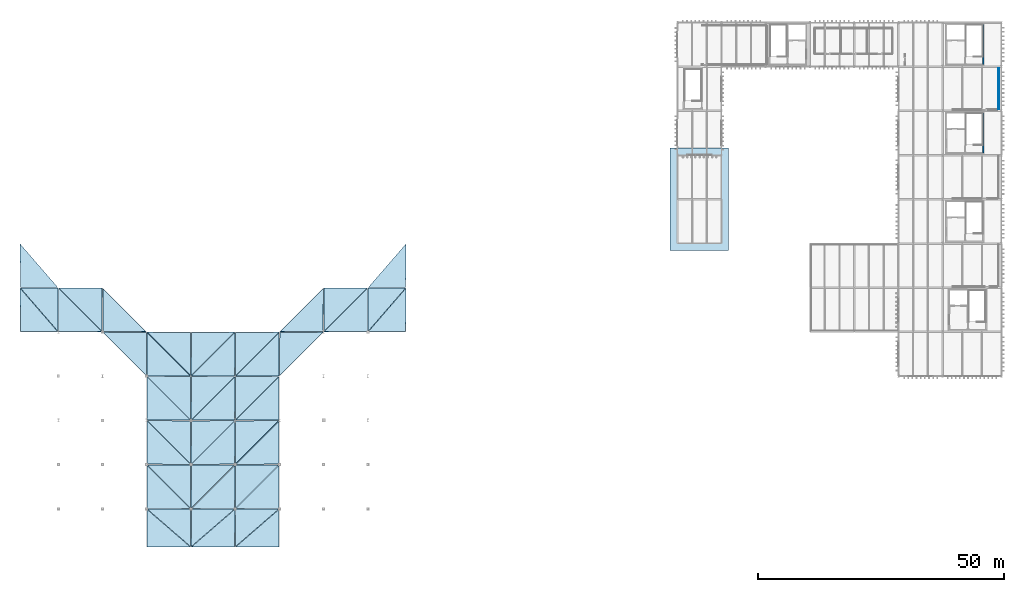
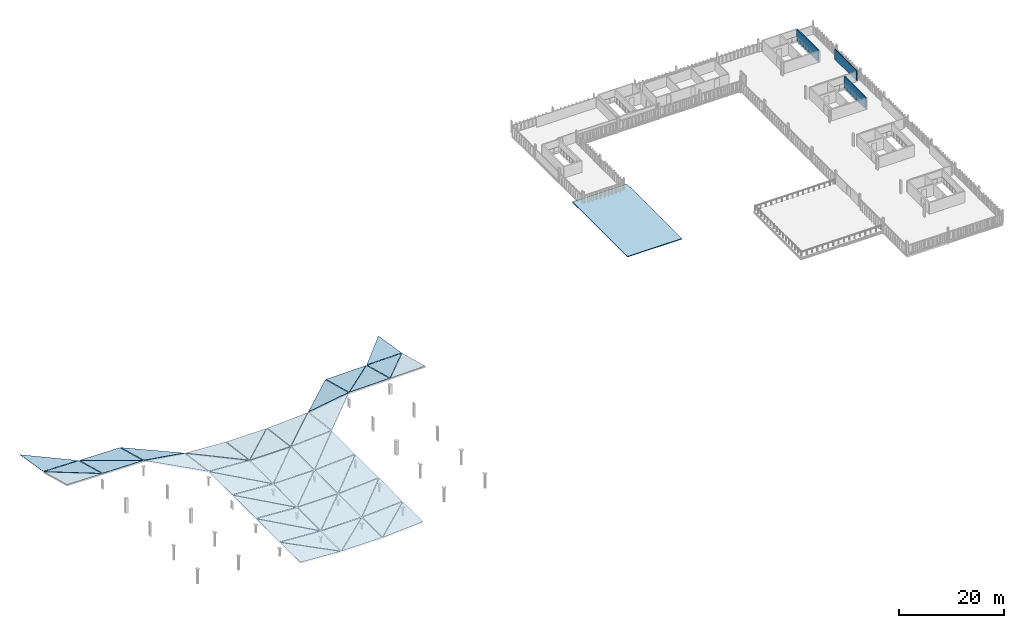
# One storey, part 55 of 58: 45 roofs, 3 walls.
"""IFC4 building model written with IfcOpenShell, lengths in metres."""

from ifc_helpers import new_model, si_unit, direction, frame, frame_2d, origin, place, context, subcontext, project, spatial, polyline, rectangle, outline, extrude, material, layer, layer_set, type_object, element, save


model = new_model("IFC4")

# Units and contexts
model_context = context("Model", 3, precision=1e-05, world=origin(), true_north=direction((0.0, 1.0)))
body_context = subcontext(model_context, "Body", "Model", "MODEL_VIEW")
ifc_project = project(units=[si_unit("LENGTHUNIT", "METRE"), si_unit("AREAUNIT", "SQUARE_METRE"), si_unit("VOLUMEUNIT", "CUBIC_METRE"), si_unit("PLANEANGLEUNIT", "RADIAN"), si_unit("MASSUNIT", "GRAM", prefix="KILO")], contexts=[model_context])

# Site, building, storey
site_placement = place(None, origin())
site = spatial("IfcSite", under=ifc_project, at=site_placement, CompositionType="ELEMENT")
building_placement = place(site_placement, origin())
building = spatial("IfcBuilding", under=site, at=building_placement, Name="Barlavento Convention Centre", CompositionType="ELEMENT")
storey_placement = place(building_placement, frame((0.0, 0.0, 26.800048828125)))
storey = spatial("IfcBuildingStorey", under=building, at=storey_placement, Name="L05", CompositionType="ELEMENT", Elevation=26.800048828125)

# Walls
ifc_material_1 = material(Name="Fire-rated gypsum partition")
ifc_layer_1 = layer(ifc_material_1, 0.169921875)
ifc_layer_set_1 = layer_set([ifc_layer_1], Name="ARC-WL-PART-170")
wall_type_1 = type_object("IfcWallType", Name="ARC-WL-PART-170", PredefinedType="PARTITIONING", material=ifc_layer_set_1)
wall_placement = place(storey_placement, frame((191.39990234375, 81.302001953125, 0.0), z_axis=(0.0, 0.0, 1.0), x_axis=(0.0, 1.0, 0.0)))
element("IfcWall", 1, at=wall_placement, inside=storey, type_object=wall_type_1, Name="L05 interior wall PT-02", PredefinedType="PARTITIONING", context=body_context, shape_type="SweptSolid", body=[
    extrude(rectangle(XDim=8.39599609375, YDim=0.169921875, at=frame_2d((4.197998046875, 0.0))), origin(), (0.0, 0.0, 1.0), 2.349853515625),
])
ifc_material_2 = material(Name="Concrete C50/60", Category="concrete")
ifc_layer_2 = layer(ifc_material_2, 0.25)
ifc_layer_set_2 = layer_set([ifc_layer_2], Name="STR-WL-CORE-250")
wall_type_2 = type_object("IfcWallType", Name="STR-WL-CORE-250", PredefinedType="SHEAR", material=ifc_layer_set_2)
for number, where, z_axis, x_axis, name in (
    (2, (188.27490234375, 72.469970703125, 0.0), (0.0, 0.0, 1.0), (0.0, 1.0, 0.0), "L05 interior wall CW-02"),
    (3, (188.27490234375, 90.469970703125, 0.0), (0.0, 0.0, 1.0), (0.0, 1.0, 0.0), "L05 interior wall CW-02"),
):
    element("IfcWall", number, at=place(storey_placement, frame(where, z_axis=z_axis, x_axis=x_axis)), inside=storey, type_object=wall_type_2, Name=name, PredefinedType="SHEAR", context=body_context, shape_type="SweptSolid", body=[
        extrude(rectangle(XDim=8.06005859375, YDim=0.25, at=frame_2d((4.030029296875, 0.0))), origin(), (0.0, 0.0, 1.0), 2.639892578125),
    ])

# Roofs
ifc_material_3 = material(Name="PVDF standing-seam aluminium roof deck", Category="aluminium")
ifc_layer_3 = layer(ifc_material_3, 0.050048828125)
ifc_layer_set_3 = layer_set([ifc_layer_3], Name="ARC-ROOF-CONG-FREE")
roof_type_1 = type_object("IfcRoofType", Name="ARC-ROOF-CONG-FREE", PredefinedType="FREEFORM", material=ifc_layer_set_3)
roof_1_placement = place(storey_placement, frame((-7.721435546875, 36.0908203125, 3.63671875), z_axis=(0.014015475364, 0.259210395711, 0.965719181339), x_axis=(0.999901690653, -0.004037935099, -0.013427736559)))
element("IfcRoof", 4, at=roof_1_placement, inside=storey, type_object=roof_type_1, Name="Congress standing-seam roof deck 011", PredefinedType="FREEFORM", context=body_context, shape_type="SweptSolid", body=[
    extrude(outline(polyline([(0.0, 0.0), (7.6181805789818835, 3.469446951953614e-18), (-0.0345814853327396, 9.110394813278933), (0.0, 0.0)])), origin(), (0.0, 0.0, -1.0), 0.050048828125),
])
roof_2_placement = place(storey_placement, frame((-0.047607421875, 36.110107421875, 3.520263671875), z_axis=(0.014077366451, 0.259210736544, 0.965718189646), x_axis=(-0.003403324864, 0.965820719899, -0.259188646343)))
element("IfcRoof", 5, at=roof_2_placement, inside=storey, type_object=roof_type_1, Name="Congress standing-seam roof deck 012", PredefinedType="FREEFORM", context=body_context, shape_type="SweptSolid", body=[
    extrude(outline(polyline([(0.0, 0.0), (9.110461273334224, 6.938893903907228e-18), (9.139455933901028, 7.618131974404132), (0.0, 0.0)])), origin(), (0.0, 0.0, -1.0), 0.050048828125),
])
roof_3_placement = place(storey_placement, frame((-7.721435546875, 45.0908203125, 1.223876953125), z_axis=(0.013964834418, 0.160383638888, 0.98695596243), x_axis=(0.999900828045, -0.004037931615, -0.013491819128)))
element("IfcRoof", 6, at=roof_3_placement, inside=storey, type_object=roof_type_1, Name="Congress standing-seam roof deck 013", PredefinedType="FREEFORM", context=body_context, shape_type="SweptSolid", body=[
    extrude(outline(polyline([(0.0, 0.0), (7.618187151139041, -3.469446951953614e-18), (-0.047002928880065326, 8.914354607113717), (0.0, 0.0)])), origin(), (0.0, 0.0, -1.0), 0.050048828125),
])
roof_4_placement = place(storey_placement, frame((0.0849609375, 36.0849609375, 3.525146484375), z_axis=(0.014009746074, 0.259226244007, 0.965715010463), x_axis=(0.99990185488, -0.00354771697, -0.013553387489)))
element("IfcRoof", 7, at=roof_4_placement, inside=storey, type_object=roof_type_1, Name="Congress standing-seam roof deck 027", PredefinedType="FREEFORM", context=body_context, shape_type="SweptSolid", body=[
    extrude(outline(polyline([(0.0, 0.0), (8.808481696995727, 3.469446951953614e-18), (-0.03045678153937166, 9.119296895340645), (0.0, 0.0)])), origin(), (0.0, 0.0, -1.0), 0.050048828125),
])
roof_5_placement = place(storey_placement, frame((8.9462890625, 36.107421875, 3.390380859375), z_axis=(0.014063278535, 0.259176285294, 0.965727641387), x_axis=(-0.00342682772, 0.9658299751, -0.259153846296)))
element("IfcRoof", 8, at=roof_5_placement, inside=storey, type_object=roof_type_1, Name="Congress standing-seam roof deck 028", PredefinedType="FREEFORM", context=body_context, shape_type="SweptSolid", body=[
    extrude(outline(polyline([(0.0, 0.0), (9.119221203076883, 0.0), (9.14852001535578, 8.808439601371605), (0.0, 0.0)])), origin(), (0.0, 0.0, -1.0), 0.050048828125),
])
roof_6_placement = place(storey_placement, frame((17.9462890625, 27.107421875, 3.199462890625), z_axis=(0.155041682447, 0.129341923694, 0.979404279896), x_axis=(-0.003517758547, 0.991458260594, -0.130376926163)))
element("IfcRoof", 9, at=roof_6_placement, inside=storey, type_object=roof_type_1, Name="Congress standing-seam roof deck 042", PredefinedType="FREEFORM", context=body_context, shape_type="SweptSolid", body=[
    extrude(outline(polyline([(0.0, 0.0), (8.883497709956657, -2.7755575615628914e-17), (8.764222098906838, 8.915904357353275), (0.0, 0.0)])), origin(), (0.0, 0.0, -1.0), 0.050048828125),
])
roof_7_placement = place(storey_placement, frame((9.0849609375, 36.0849609375, 3.39453125), z_axis=(0.151257294322, 0.25672358744, 0.954575419004), x_axis=(0.987816768958, -0.003504838298, -0.155581962557)))
element("IfcRoof", 10, at=roof_7_placement, inside=storey, type_object=roof_type_1, Name="Congress standing-seam roof deck 043", PredefinedType="FREEFORM", context=body_context, shape_type="SweptSolid", body=[
    extrude(outline(polyline([(0.0, 0.0), (8.916245870970297, -5.551115123125783e-17), (0.30602135464539804, 9.114211672515198), (0.0, 0.0)])), origin(), (0.0, 0.0, -1.0), 0.050048828125),
])
roof_8_placement = place(storey_placement, frame((18.0908203125, -7.721435546875, 3.178466796875), z_axis=(0.060181993001, -0.000332823995, 0.998187365652), x_axis=(0.998181273193, -0.003489660121, -0.06018278923)))
element("IfcRoof", 11, at=roof_8_placement, inside=storey, type_object=roof_type_1, Name="Congress standing-seam roof deck 049", PredefinedType="FREEFORM", context=body_context, shape_type="SweptSolid", body=[
    extrude(outline(polyline([(0.0, 0.0), (8.815104532547027, 2.1141942363467336e-18), (-0.05755249415646983, 7.617277604581352), (0.0, 0.0)])), origin(), (0.0, 0.0, -1.0), 0.050048828125),
])
roof_9_placement = place(storey_placement, frame((26.93994140625, -7.696044921875, 2.64794921875), z_axis=(0.059880443385, 0.000241817117, 0.998205526945), x_axis=(-0.004038299176, 0.999991846037, 0.0)))
element("IfcRoof", 12, at=roof_9_placement, inside=storey, type_object=roof_type_1, Name="Congress standing-seam roof deck 050", PredefinedType="FREEFORM", context=body_context, shape_type="SweptSolid", body=[
    extrude(outline(polyline([(0.0, 0.0), (7.6174937533899785, 3.469446951953614e-18), (7.684032646227063, 8.814693036513532), (0.0, 0.0)])), origin(), (0.0, 0.0, -1.0), 0.050048828125),
])
roof_10_placement = place(storey_placement, frame((18.0849609375, 0.0849609375, 3.179443359375), z_axis=(0.060234246383, -0.000284325662, 0.998184228848), x_axis=(0.998177948442, -0.003541600438, -0.060234876199)))
element("IfcRoof", 13, at=roof_10_placement, inside=storey, type_object=roof_type_1, Name="Congress standing-seam roof deck 051", PredefinedType="FREEFORM", context=body_context, shape_type="SweptSolid", body=[
    extrude(outline(polyline([(0.0, 0.0), (8.823694413654868, 5.631075033346589e-18), (-0.06265082582341358, 8.807450895121354), (0.0, 0.0)])), origin(), (0.0, 0.0, -1.0), 0.050048828125),
])
roof_11_placement = place(storey_placement, frame((26.9462890625, 0.107421875, 2.64794921875), z_axis=(0.0598776011, 0.000212449632, 0.998205704127), x_axis=(-0.003548042863, 0.999993705676, 0.0)))
element("IfcRoof", 14, at=roof_11_placement, inside=storey, type_object=roof_type_1, Name="Congress standing-seam roof deck 052", PredefinedType="FREEFORM", context=body_context, shape_type="SweptSolid", body=[
    extrude(outline(polyline([(0.0, 0.0), (8.807672625844209, 0.0), (8.870172232448965, 8.823282452456102), (0.0, 0.0)])), origin(), (0.0, 0.0, -1.0), 0.050048828125),
])
roof_12_placement = place(storey_placement, frame((18.0849609375, 9.0849609375, 3.179443359375), z_axis=(0.060234246383, -0.000284325662, 0.998184228848), x_axis=(0.998177948442, -0.003541600438, -0.060234876199)))
element("IfcRoof", 15, at=roof_12_placement, inside=storey, type_object=roof_type_1, Name="Congress standing-seam roof deck 053", PredefinedType="FREEFORM", context=body_context, shape_type="SweptSolid", body=[
    extrude(outline(polyline([(0.0, 0.0), (8.823694413654868, 5.631075033346589e-18), (-0.06265082582341358, 8.807450895121354), (0.0, 0.0)])), origin(), (0.0, 0.0, -1.0), 0.050048828125),
])
roof_13_placement = place(storey_placement, frame((26.9462890625, 9.107421875, 2.64794921875), z_axis=(0.0598776011, 0.000212449632, 0.998205704127), x_axis=(-0.003548042863, 0.999993705676, 0.0)))
element("IfcRoof", 16, at=roof_13_placement, inside=storey, type_object=roof_type_1, Name="Congress standing-seam roof deck 054", PredefinedType="FREEFORM", context=body_context, shape_type="SweptSolid", body=[
    extrude(outline(polyline([(0.0, 0.0), (8.807672625844209, 0.0), (8.870172232448965, 8.823282452456102), (0.0, 0.0)])), origin(), (0.0, 0.0, -1.0), 0.050048828125),
])
roof_14_placement = place(storey_placement, frame((18.0849609375, 18.0849609375, 3.179443359375), z_axis=(0.060234246383, -0.000284325662, 0.998184228848), x_axis=(0.998177948442, -0.003541600438, -0.060234876199)))
element("IfcRoof", 17, at=roof_14_placement, inside=storey, type_object=roof_type_1, Name="Congress standing-seam roof deck 055", PredefinedType="FREEFORM", context=body_context, shape_type="SweptSolid", body=[
    extrude(outline(polyline([(0.0, 0.0), (8.823694413654868, 5.631075033346589e-18), (-0.06265082582341358, 8.807450895121354), (0.0, 0.0)])), origin(), (0.0, 0.0, -1.0), 0.050048828125),
])
roof_15_placement = place(storey_placement, frame((26.9462890625, 18.107421875, 2.64794921875), z_axis=(0.0598776011, 0.000212449632, 0.998205704127), x_axis=(-0.003548042863, 0.999993705676, 0.0)))
element("IfcRoof", 18, at=roof_15_placement, inside=storey, type_object=roof_type_1, Name="Congress standing-seam roof deck 056", PredefinedType="FREEFORM", context=body_context, shape_type="SweptSolid", body=[
    extrude(outline(polyline([(0.0, 0.0), (8.807672625844209, 0.0), (8.870172232448965, 8.823282452456102), (0.0, 0.0)])), origin(), (0.0, 0.0, -1.0), 0.050048828125),
])
roof_16_placement = place(storey_placement, frame((18.0849609375, 27.0849609375, 3.179443359375), z_axis=(0.060184836892, 0.129731025417, 0.989720994247), x_axis=(0.998177948442, -0.003541600438, -0.060234876199)))
element("IfcRoof", 19, at=roof_16_placement, inside=storey, type_object=roof_type_1, Name="Congress standing-seam roof deck 057", PredefinedType="FREEFORM", context=body_context, shape_type="SweptSolid", body=[
    extrude(outline(polyline([(0.0, 0.0), (8.823694413654868, -1.3877787807814457e-17), (0.0070398671227368675, 8.882764567967097), (0.0, 0.0)])), origin(), (0.0, 0.0, -1.0), 0.050048828125),
])
roof_17_placement = place(storey_placement, frame((26.9462890625, 27.107421875, 2.64794921875), z_axis=(0.058867858295, 0.130869267395, 0.989650347401), x_axis=(-0.003517518608, 0.991390635292, -0.130890165093)))
element("IfcRoof", 20, at=roof_17_placement, inside=storey, type_object=roof_type_1, Name="Congress standing-seam roof deck 058", PredefinedType="FREEFORM", context=body_context, shape_type="SweptSolid", body=[
    extrude(outline(polyline([(0.0, 0.0), (8.884103676151291, 1.3877787807814457e-17), (8.878032104166845, 8.822994201333152), (0.0, 0.0)])), origin(), (0.0, 0.0, -1.0), 0.050048828125),
])
roof_18_placement = place(storey_placement, frame((27.110107421875, -7.752197265625, 2.64794921875), z_axis=(0.0, 0.0, 1.0), x_axis=(0.999993888984, 0.003495997059, 0.0)))
element("IfcRoof", 21, at=roof_18_placement, inside=storey, type_object=roof_type_1, Name="Congress standing-seam roof deck 065", PredefinedType="FREEFORM", context=body_context, shape_type="SweptSolid", body=[
    extrude(outline(polyline([(0.0, 0.0), (8.799126037228442, 0.0), (8.856518086607634, 7.617277547497097), (0.0, 0.0)])), origin(), (0.0, 0.0, -1.0), 0.050048828125),
])
roof_19_placement = place(storey_placement, frame((27.06005859375, -7.696044921875, 2.64794921875), z_axis=(0.0, 0.0, 1.0), x_axis=(0.755862138023, 0.654730805983, 0.0)))
element("IfcRoof", 22, at=roof_19_placement, inside=storey, type_object=roof_type_1, Name="Congress standing-seam roof deck 066", PredefinedType="FREEFORM", context=body_context, shape_type="SweptSolid", body=[
    extrude(outline(polyline([(0.0, 0.0), (11.681804842704313, -8.881784197001252e-16), (5.010618776090513, 5.737587521216957), (0.0, 0.0)])), origin(), (0.0, 0.0, -1.0), 0.050048828125),
])
roof_20_placement = place(storey_placement, frame((27.107421875, 0.0537109375, 2.64794921875), z_axis=(0.0, 0.0, 1.0), x_axis=(0.999993705676, 0.003548042863, 0.0)))
element("IfcRoof", 23, at=roof_20_placement, inside=storey, type_object=roof_type_1, Name="Congress standing-seam roof deck 067", PredefinedType="FREEFORM", context=body_context, shape_type="SweptSolid", body=[
    extrude(outline(polyline([(0.0, 0.0), (8.807672625844209, 0.0), (8.870172232448965, 8.80745087316527), (0.0, 0.0)])), origin(), (0.0, 0.0, -1.0), 0.050048828125),
])
roof_21_placement = place(storey_placement, frame((27.0537109375, 0.107421875, 2.64794921875), z_axis=(0.0, 0.0, 1.0), x_axis=(0.707106781187, 0.707106781187, 0.0)))
element("IfcRoof", 24, at=roof_21_placement, inside=storey, type_object=roof_type_1, Name="Congress standing-seam roof deck 068", PredefinedType="FREEFORM", context=body_context, shape_type="SweptSolid", body=[
    extrude(outline(polyline([(0.0, 0.0), (12.500045852577035, 0.0), (6.250022926288517, 6.205828752464358), (0.0, 0.0)])), origin(), (0.0, 0.0, -1.0), 0.050048828125),
])
roof_22_placement = place(storey_placement, frame((27.107421875, 9.0537109375, 2.64794921875), z_axis=(0.0, 0.0, 1.0), x_axis=(0.999993705676, 0.003548042863, 0.0)))
element("IfcRoof", 25, at=roof_22_placement, inside=storey, type_object=roof_type_1, Name="Congress standing-seam roof deck 069", PredefinedType="FREEFORM", context=body_context, shape_type="SweptSolid", body=[
    extrude(outline(polyline([(0.0, 0.0), (8.807672625844209, 0.0), (8.870172232448965, 8.80745087316527), (0.0, 0.0)])), origin(), (0.0, 0.0, -1.0), 0.050048828125),
])
roof_23_placement = place(storey_placement, frame((27.0537109375, 9.107421875, 2.64794921875), z_axis=(0.0, 0.0, 1.0), x_axis=(0.707106781187, 0.707106781187, 0.0)))
element("IfcRoof", 26, at=roof_23_placement, inside=storey, type_object=roof_type_1, Name="Congress standing-seam roof deck 070", PredefinedType="FREEFORM", context=body_context, shape_type="SweptSolid", body=[
    extrude(outline(polyline([(0.0, 0.0), (12.500045852577035, 0.0), (6.250022926288517, 6.205828752464358), (0.0, 0.0)])), origin(), (0.0, 0.0, -1.0), 0.050048828125),
])
roof_24_placement = place(storey_placement, frame((27.107421875, 18.0537109375, 2.64794921875), z_axis=(0.0, 0.0, 1.0), x_axis=(0.999993705676, 0.003548042863, 0.0)))
element("IfcRoof", 27, at=roof_24_placement, inside=storey, type_object=roof_type_1, Name="Congress standing-seam roof deck 071", PredefinedType="FREEFORM", context=body_context, shape_type="SweptSolid", body=[
    extrude(outline(polyline([(0.0, 0.0), (8.807672625844209, 0.0), (8.870172232448965, 8.80745087316527), (0.0, 0.0)])), origin(), (0.0, 0.0, -1.0), 0.050048828125),
])
roof_25_placement = place(storey_placement, frame((27.0537109375, 18.107421875, 2.64794921875), z_axis=(0.0, 0.0, 1.0), x_axis=(0.707106781187, 0.707106781187, 0.0)))
element("IfcRoof", 28, at=roof_25_placement, inside=storey, type_object=roof_type_1, Name="Congress standing-seam roof deck 072", PredefinedType="FREEFORM", context=body_context, shape_type="SweptSolid", body=[
    extrude(outline(polyline([(0.0, 0.0), (12.500045852577035, 0.0), (6.250022926288517, 6.205828752464358), (0.0, 0.0)])), origin(), (0.0, 0.0, -1.0), 0.050048828125),
])
roof_26_placement = place(storey_placement, frame((27.107421875, 27.0537109375, 2.64794921875), z_axis=(-0.000462115089, 0.130244249625, 0.991481831346), x_axis=(0.999993705676, 0.003548042863, 0.0)))
element("IfcRoof", 29, at=roof_26_placement, inside=storey, type_object=roof_type_1, Name="Congress standing-seam roof deck 073", PredefinedType="FREEFORM", context=body_context, shape_type="SweptSolid", body=[
    extrude(outline(polyline([(0.0, 0.0), (8.807672625844209, 0.0), (8.870172232448965, 8.883118777082032), (0.0, 0.0)])), origin(), (0.0, 0.0, -1.0), 0.050048828125),
])
roof_27_placement = place(storey_placement, frame((27.0537109375, 27.107421875, 2.64794921875), z_axis=(0.000497424048, 0.130889223999, 0.991396874925), x_axis=(0.704022290525, 0.704022290525, -0.093301816096)))
element("IfcRoof", 30, at=roof_27_placement, inside=storey, type_object=roof_type_1, Name="Congress standing-seam roof deck 074", PredefinedType="FREEFORM", context=body_context, shape_type="SweptSolid", body=[
    extrude(outline(polyline([(0.0, 0.0), (12.55481155419675, -5.689893001203927e-16), (6.331254774474111, 6.232376040428214), (0.0, 0.0)])), origin(), (0.0, 0.0, -1.0), 0.050048828125),
])
roof_28_placement = place(storey_placement, frame((36.110107421875, -7.752197265625, 2.64794921875), z_axis=(-0.060181993001, -0.000332823995, 0.998187365652), x_axis=(0.998181273193, 0.003489660121, 0.06018278923)))
element("IfcRoof", 31, at=roof_28_placement, inside=storey, type_object=roof_type_1, Name="Congress standing-seam roof deck 081", PredefinedType="FREEFORM", context=body_context, shape_type="SweptSolid", body=[
    extrude(outline(polyline([(0.0, 0.0), (8.815104532547027, -2.1141942363467336e-18), (8.872657026703497, 7.617277604581351), (0.0, 0.0)])), origin(), (0.0, 0.0, -1.0), 0.050048828125),
])
roof_29_placement = place(storey_placement, frame((36.06005859375, -7.696044921875, 2.64794921875), z_axis=(-0.059880443385, 0.000241817117, 0.998205526945), x_axis=(0.755091731743, 0.654063476983, 0.045138062986)))
element("IfcRoof", 32, at=roof_29_placement, inside=storey, type_object=roof_type_1, Name="Congress standing-seam roof deck 082", PredefinedType="FREEFORM", context=body_context, shape_type="SweptSolid", body=[
    extrude(outline(polyline([(0.0, 0.0), (11.693723574475474, 9.159339953157541e-16), (5.0055117440301595, 5.742043474522942), (0.0, 0.0)])), origin(), (0.0, 0.0, -1.0), 0.050048828125),
])
roof_30_placement = place(storey_placement, frame((36.107421875, 0.0537109375, 2.64794921875), z_axis=(-0.060234246383, -0.000284325662, 0.998184228848), x_axis=(0.998177948442, 0.003541600438, 0.060234876199)))
element("IfcRoof", 33, at=roof_30_placement, inside=storey, type_object=roof_type_1, Name="Congress standing-seam roof deck 083", PredefinedType="FREEFORM", context=body_context, shape_type="SweptSolid", body=[
    extrude(outline(polyline([(0.0, 0.0), (8.823694413654868, -5.631075033346589e-18), (8.886345239478281, 8.807450895121354), (0.0, 0.0)])), origin(), (0.0, 0.0, -1.0), 0.050048828125),
])
roof_31_placement = place(storey_placement, frame((36.0537109375, 0.107421875, 2.64794921875), z_axis=(-0.0598776011, 0.000212449632, 0.998205704127), x_axis=(0.706476048949, 0.706476048949, 0.042227769581)))
element("IfcRoof", 34, at=roof_31_placement, inside=storey, type_object=roof_type_1, Name="Congress standing-seam roof deck 084", PredefinedType="FREEFORM", context=body_context, shape_type="SweptSolid", body=[
    extrude(outline(polyline([(0.0, 0.0), (12.51120572403509, 2.8796409701215e-16), (6.244447967806835, 6.211438372985641), (0.0, 0.0)])), origin(), (0.0, 0.0, -1.0), 0.050048828125),
])
roof_32_placement = place(storey_placement, frame((36.107421875, 9.0537109375, 2.64794921875), z_axis=(-0.060234246383, -0.000284325662, 0.998184228848), x_axis=(0.998177948442, 0.003541600438, 0.060234876199)))
element("IfcRoof", 35, at=roof_32_placement, inside=storey, type_object=roof_type_1, Name="Congress standing-seam roof deck 085", PredefinedType="FREEFORM", context=body_context, shape_type="SweptSolid", body=[
    extrude(outline(polyline([(0.0, 0.0), (8.823694413654868, -5.631075033346589e-18), (8.886345239478281, 8.807450895121354), (0.0, 0.0)])), origin(), (0.0, 0.0, -1.0), 0.050048828125),
])
roof_33_placement = place(storey_placement, frame((36.0537109375, 9.107421875, 2.64794921875), z_axis=(-0.0598776011, 0.000212449632, 0.998205704127), x_axis=(0.706476048949, 0.706476048949, 0.042227769581)))
element("IfcRoof", 36, at=roof_33_placement, inside=storey, type_object=roof_type_1, Name="Congress standing-seam roof deck 086", PredefinedType="FREEFORM", context=body_context, shape_type="SweptSolid", body=[
    extrude(outline(polyline([(0.0, 0.0), (12.51120572403509, 2.8796409701215e-16), (6.244447967806835, 6.211438372985641), (0.0, 0.0)])), origin(), (0.0, 0.0, -1.0), 0.050048828125),
])
roof_34_placement = place(storey_placement, frame((36.107421875, 18.0537109375, 2.64794921875), z_axis=(-0.060234246383, -0.000284325662, 0.998184228848), x_axis=(0.998177948442, 0.003541600438, 0.060234876199)))
element("IfcRoof", 37, at=roof_34_placement, inside=storey, type_object=roof_type_1, Name="Congress standing-seam roof deck 087", PredefinedType="FREEFORM", context=body_context, shape_type="SweptSolid", body=[
    extrude(outline(polyline([(0.0, 0.0), (8.823694413654868, -5.631075033346589e-18), (8.886345239478281, 8.807450895121354), (0.0, 0.0)])), origin(), (0.0, 0.0, -1.0), 0.050048828125),
])
roof_35_placement = place(storey_placement, frame((36.0537109375, 18.107421875, 2.64794921875), z_axis=(-0.0598776011, 0.000212449632, 0.998205704127), x_axis=(0.706476048949, 0.706476048949, 0.042227769581)))
element("IfcRoof", 38, at=roof_35_placement, inside=storey, type_object=roof_type_1, Name="Congress standing-seam roof deck 088", PredefinedType="FREEFORM", context=body_context, shape_type="SweptSolid", body=[
    extrude(outline(polyline([(0.0, 0.0), (12.51120572403509, 2.8796409701215e-16), (6.244447967806835, 6.211438372985641), (0.0, 0.0)])), origin(), (0.0, 0.0, -1.0), 0.050048828125),
])
roof_36_placement = place(storey_placement, frame((36.107421875, 27.0537109375, 2.64794921875), z_axis=(-0.060184836892, 0.129731025417, 0.989720994247), x_axis=(0.998177948442, 0.003541600438, 0.060234876199)))
element("IfcRoof", 39, at=roof_36_placement, inside=storey, type_object=roof_type_1, Name="Congress standing-seam roof deck 089", PredefinedType="FREEFORM", context=body_context, shape_type="SweptSolid", body=[
    extrude(outline(polyline([(0.0, 0.0), (8.823694413654868, 1.3877787807814457e-17), (8.816654546532131, 8.882764567967097), (0.0, 0.0)])), origin(), (0.0, 0.0, -1.0), 0.050048828125),
])
roof_37_placement = place(storey_placement, frame((36.0537109375, 27.107421875, 2.64794921875), z_axis=(-0.058867858295, 0.130869267395, 0.989650347401), x_axis=(0.706172919774, 0.706172919774, -0.05137718127)))
element("IfcRoof", 40, at=roof_37_placement, inside=storey, type_object=roof_type_1, Name="Congress standing-seam roof deck 090", PredefinedType="FREEFORM", context=body_context, shape_type="SweptSolid", body=[
    extrude(outline(polyline([(0.0, 0.0), (12.516576237908495, -8.465450562766819e-16), (6.301512183079028, 6.262446992598936), (0.0, 0.0)])), origin(), (0.0, 0.0, -1.0), 0.050048828125),
])
roof_38_placement = place(storey_placement, frame((45.0537109375, 27.107421875, 3.199462890625), z_axis=(-0.155041682447, 0.129341923694, 0.979404279896), x_axis=(0.706985093401, 0.706985093401, 0.018551426327)))
element("IfcRoof", 41, at=roof_38_placement, inside=storey, type_object=roof_type_1, Name="Congress standing-seam roof deck 106", PredefinedType="FREEFORM", context=body_context, shape_type="SweptSolid", body=[
    extrude(outline(polyline([(0.0, 0.0), (12.502197387197105, -1.1102230246251565e-16), (6.227461024165238, 6.3352395973086955), (0.0, 0.0)])), origin(), (0.0, 0.0, -1.0), 0.050048828125),
])
roof_39_placement = place(storey_placement, frame((45.107421875, 36.0537109375, 2.00732421875), z_axis=(-0.151257294322, 0.25672358744, 0.954575419004), x_axis=(0.987816768958, 0.003504838298, 0.155581962557)))
element("IfcRoof", 42, at=roof_39_placement, inside=storey, type_object=roof_type_1, Name="Congress standing-seam roof deck 107", PredefinedType="FREEFORM", context=body_context, shape_type="SweptSolid", body=[
    extrude(outline(polyline([(0.0, 0.0), (8.916245870970297, 5.551115123125783e-17), (8.610224516324898, 9.114211672515198), (0.0, 0.0)])), origin(), (0.0, 0.0, -1.0), 0.050048828125),
])
roof_40_placement = place(storey_placement, frame((54.107421875, 36.0537109375, 3.40576171875), z_axis=(-0.014009746074, 0.259226244007, 0.965715010463), x_axis=(0.99990185488, 0.00354771697, 0.013553387489)))
element("IfcRoof", 43, at=roof_40_placement, inside=storey, type_object=roof_type_1, Name="Congress standing-seam roof deck 123", PredefinedType="FREEFORM", context=body_context, shape_type="SweptSolid", body=[
    extrude(outline(polyline([(0.0, 0.0), (8.808481696995727, -3.469446951953614e-18), (8.8389384785351, 9.119296895340646), (0.0, 0.0)])), origin(), (0.0, 0.0, -1.0), 0.050048828125),
])
roof_41_placement = place(storey_placement, frame((54.0537109375, 36.107421875, 3.390380859375), z_axis=(-0.014063278535, 0.259176285294, 0.965727641387), x_axis=(0.69598668222, 0.69598668222, -0.176649586314)))
element("IfcRoof", 44, at=roof_41_placement, inside=storey, type_object=roof_type_1, Name="Congress standing-seam roof deck 124", PredefinedType="FREEFORM", context=body_context, shape_type="SweptSolid", body=[
    extrude(outline(polyline([(0.0, 0.0), (12.699764827837438, -7.216449660063518e-16), (6.569206503567357, 6.32500760980849), (0.0, 0.0)])), origin(), (0.0, 0.0, -1.0), 0.050048828125),
])
roof_42_placement = place(storey_placement, frame((63.10400390625, 36.06005859375, 3.534423828125), z_axis=(-0.014015475364, 0.259210395711, 0.965719181339), x_axis=(0.999901690653, 0.004037935099, 0.013427736559)))
element("IfcRoof", 45, at=roof_42_placement, inside=storey, type_object=roof_type_1, Name="Congress standing-seam roof deck 139", PredefinedType="FREEFORM", context=body_context, shape_type="SweptSolid", body=[
    extrude(outline(polyline([(0.0, 0.0), (7.6181805789818835, -3.469446951953614e-18), (7.652762064314623, 9.110394813278935), (0.0, 0.0)])), origin(), (0.0, 0.0, -1.0), 0.050048828125),
])
roof_43_placement = place(storey_placement, frame((63.047607421875, 36.110107421875, 3.520263671875), z_axis=(-0.014077366451, 0.259210736544, 0.965718189646), x_axis=(0.642826646992, 0.74211923333, -0.18982345861)))
element("IfcRoof", 46, at=roof_43_placement, inside=storey, type_object=roof_type_1, Name="Congress standing-seam roof deck 140", PredefinedType="FREEFORM", context=body_context, shape_type="SweptSolid", body=[
    extrude(outline(polyline([(0.0, 0.0), (11.898133868265111, -4.996003610813204e-16), (6.998127628000119, 5.83324217868109), (0.0, 0.0)])), origin(), (0.0, 0.0, -1.0), 0.050048828125),
])
roof_44_placement = place(storey_placement, frame((63.10400390625, 45.06005859375, 1.12109375), z_axis=(-0.013964834418, 0.160383638888, 0.98695596243), x_axis=(0.999900828045, 0.004037931615, 0.013491819128)))
element("IfcRoof", 47, at=roof_44_placement, inside=storey, type_object=roof_type_1, Name="Congress standing-seam roof deck 141", PredefinedType="FREEFORM", context=body_context, shape_type="SweptSolid", body=[
    extrude(outline(polyline([(0.0, 0.0), (7.618187151139041, 3.469446951953614e-18), (7.665190080019105, 8.914354607113715), (0.0, 0.0)])), origin(), (0.0, 0.0, -1.0), 0.050048828125),
])
ifc_material_4 = material(Name="Insulated waterproof flat roof deck", Category="concrete")
ifc_layer_4 = layer(ifc_material_4, 0.050048828125)
ifc_layer_set_4 = layer_set([ifc_layer_4], Name="ARC-ROOF-FLAT-WING")
roof_type_2 = type_object("IfcRoofType", Name="ARC-ROOF-FLAT-WING", PredefinedType="FLAT_ROOF", material=ifc_layer_set_4)
roof_45_placement = place(storey_placement, origin())
element("IfcRoof", 48, at=roof_45_placement, inside=storey, type_object=roof_type_2, Name="V4 horizontal roof deck RS-502", PredefinedType="FLAT_ROOF", context=body_context, shape_type="SweptSolid", body=[
    extrude(outline(polyline([(124.550048828125, 52.550048828125), (124.550048828125, 73.449951171875), (136.449951171875, 73.449951171875), (136.449951171875, 52.550048828125), (124.550048828125, 52.550048828125)])), origin(), (0.0, 0.0, 1.0), 0.159912109375),
])

save(model, "model.ifc")
